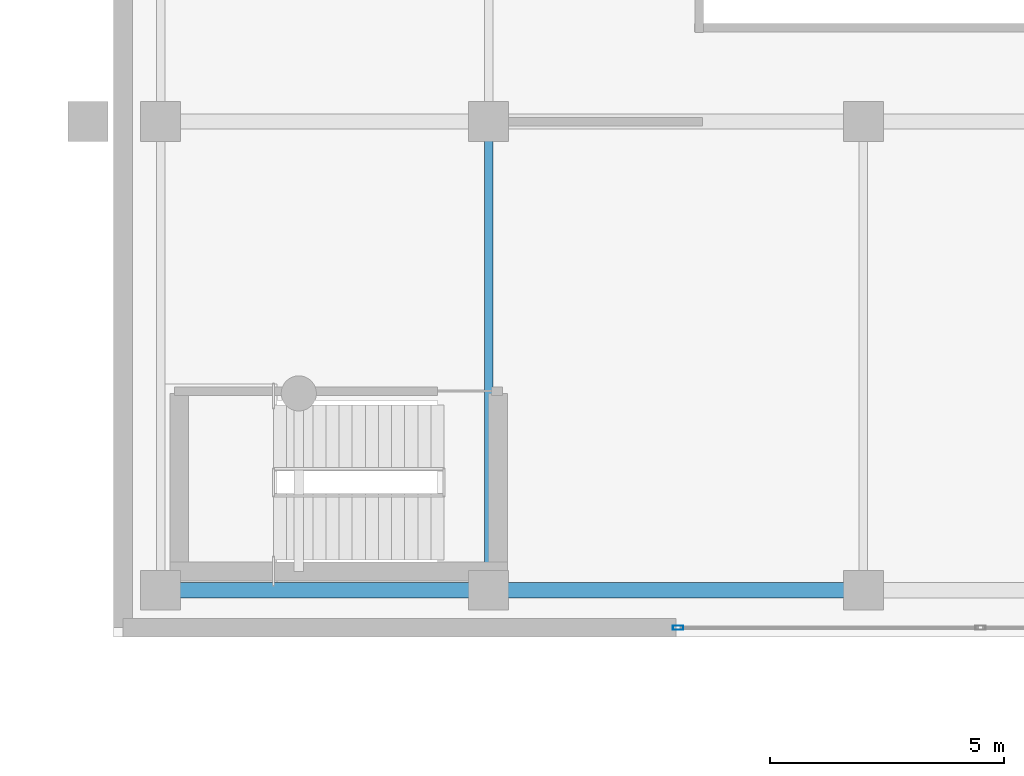
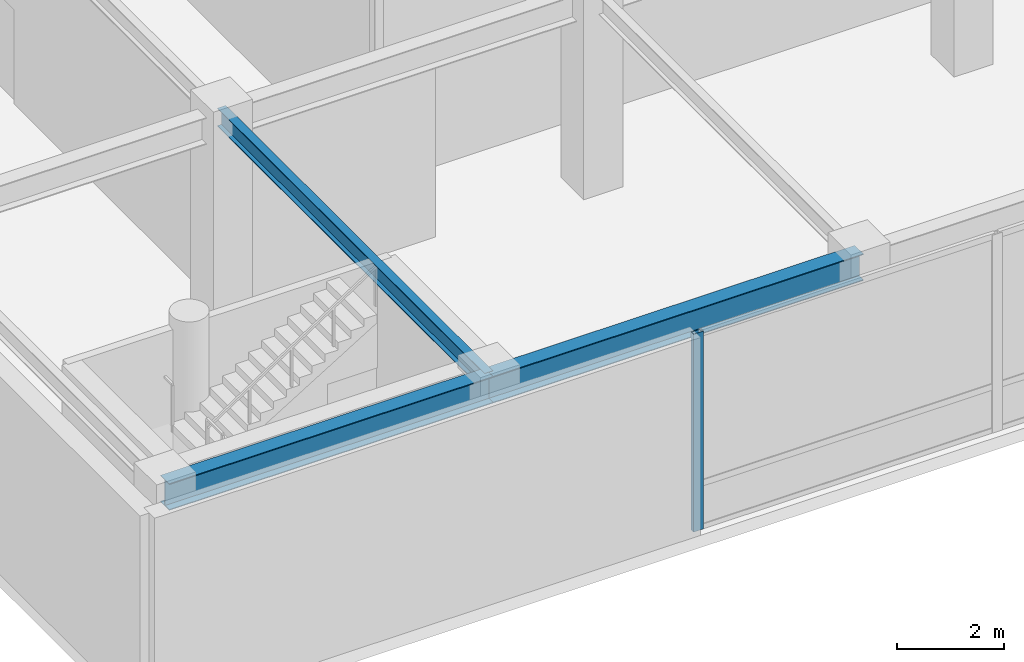
# One storey, part 12 of 40: 3 beams, 1 member, 1 element without a shape of its own.
"""IFC4 building model written with IfcOpenShell, lengths in metres."""

from ifc_helpers import new_model, si_unit, direction, frame, origin, origin_2d, place, context, subcontext, project, spatial, hollow_rectangle, i_section, extrude, material, layer, layer_set, material_profile, profile_set, type_object, element, aggregate, save


model = new_model("IFC4")

# Units and contexts
model_context = context("Model", 3, precision=1e-05, world=origin(), true_north=direction((0.0, 1.0)))
body_context = subcontext(model_context, "Body", "Model", "MODEL_VIEW")
ifc_project = project(units=[si_unit("LENGTHUNIT", "METRE"), si_unit("AREAUNIT", "SQUARE_METRE"), si_unit("VOLUMEUNIT", "CUBIC_METRE"), si_unit("PLANEANGLEUNIT", "RADIAN"), si_unit("MASSUNIT", "GRAM", prefix="KILO")], contexts=[model_context])

# Site, building, storey
site_placement = place(None, origin())
site = spatial("IfcSite", under=ifc_project, at=site_placement, CompositionType="ELEMENT")
building_placement = place(site_placement, origin())
building = spatial("IfcBuilding", under=site, at=building_placement, Name="Kazevale Care Tower and Concert Hall", CompositionType="ELEMENT")
storey_placement = place(building_placement, frame((0.0, 0.0, 4.800048828125)))
storey = spatial("IfcBuildingStorey", under=building, at=storey_placement, Name="L01", CompositionType="ELEMENT", Elevation=4.800048828125)

# Curtain wall, member
ifc_material_1 = material(Name="Aluminium 6063-T6 and Low-E Glass", Category="aluminium")
ifc_layer = layer(ifc_material_1, 0.179931640625)
ifc_layer_set = layer_set([ifc_layer], Name="Aluminium 6063-T6 and Low-E Glass")
curtain_wall_type = type_object("IfcCurtainWallType", Name="Concert Hall Foyer Storefront Curtain Wall CW-6", PredefinedType="NOTDEFINED", material=ifc_layer_set)
curtain_wall_placement = place(storey_placement, origin())
curtain_wall = element("IfcCurtainWall", 1, at=curtain_wall_placement, inside=storey, type_object=curtain_wall_type, Name="cw:L01:hall:S2", PredefinedType="NOTDEFINED")
ifc_material_2 = material(Name="Aluminium 6063-T6", Category="aluminium")
ifc_material_profile_1 = material_profile(ifc_material_2, hollow_rectangle(XDim=0.090087890625, YDim=0.219970703125, WallThickness=0.0048828125, at=origin_2d()), Name="ALU90x220x5")
ifc_profile_set_1 = profile_set([ifc_material_profile_1], Name="Aluminium 6063-T6")
member_type = type_object("IfcMemberType", Name="CW-6 Mullion ALU90x220x5", PredefinedType="MULLION", material=ifc_profile_set_1)
member_placement = place(storey_placement, frame((108.044921875, 14.199951171875, 0.0), z_axis=(0.0, 0.0, 1.0), x_axis=(0.0, 1.0, 0.0)))
member = element("IfcMember", 2, at=member_placement, type_object=member_type, Name="CW-6 mullion 1", PredefinedType="MULLION", context=body_context, shape_type="SweptSolid", body=[
    extrude(hollow_rectangle(XDim=0.090087890625, YDim=0.219970703125, WallThickness=0.0048828125, at=origin_2d()), origin(), (0.0, 0.0, 1.0), 4.52001953125),
])
aggregate(curtain_wall, [member])

# Beams
ifc_material_3 = material(Name="Steel ASTM A572 Gr 50", Category="steel")
ifc_material_profile_2 = material_profile(ifc_material_3, i_section(OverallWidth=0.323974609375, OverallDepth=0.611083984375, WebThickness=0.0126953125, FlangeThickness=0.01904296875, at=origin_2d()), Name="W610x155")
ifc_profile_set_2 = profile_set([ifc_material_profile_2], Name="Steel ASTM A572 Gr 50")
beam_type_1 = type_object("IfcBeamType", Name="Concert Hall Frame Girder W610x155", PredefinedType="BEAM", material=ifc_profile_set_2)
beam_1_placement = place(storey_placement, frame((97.0, 15.0, 4.21435546875), z_axis=(1.0, 0.0, 0.0), x_axis=(0.0, 1.0, 0.0)))
element("IfcBeam", 3, at=beam_1_placement, inside=storey, type_object=beam_type_1, Name="beam:L01:hx:97_15", PredefinedType="BEAM", context=body_context, shape_type="SweptSolid", body=[
    extrude(i_section(OverallWidth=0.323974609375, OverallDepth=0.611083984375, WebThickness=0.0126953125, FlangeThickness=0.01904296875, at=origin_2d()), origin(), (0.0, 0.0, 1.0), 7.0),
])
beam_2_placement = place(storey_placement, frame((104.0, 15.0, 4.21435546875), z_axis=(1.0, 0.0, 0.0), x_axis=(0.0, 1.0, 0.0)))
element("IfcBeam", 4, at=beam_2_placement, inside=storey, type_object=beam_type_1, Name="beam:L01:hx:104_15", PredefinedType="BEAM", context=body_context, shape_type="SweptSolid", body=[
    extrude(i_section(OverallWidth=0.323974609375, OverallDepth=0.611083984375, WebThickness=0.0126953125, FlangeThickness=0.01904296875, at=origin_2d()), origin(), (0.0, 0.0, 1.0), 8.0),
])
ifc_material_profile_3 = material_profile(ifc_material_3, i_section(OverallWidth=0.180908203125, OverallDepth=0.4169921875, WebThickness=0.010986328125, FlangeThickness=0.018310546875, at=origin_2d()), Name="W410x85")
ifc_profile_set_3 = profile_set([ifc_material_profile_3], Name="Steel ASTM A572 Gr 50")
beam_type_2 = type_object("IfcBeamType", Name="Concert Hall Secondary Beam W410x85", PredefinedType="BEAM", material=ifc_profile_set_3)
beam_3_placement = place(storey_placement, frame((104.0, 15.0, 4.3115234375), z_axis=(0.0, 1.0, 0.0), x_axis=(-1.0, 0.0, 0.0)))
element("IfcBeam", 5, at=beam_3_placement, inside=storey, type_object=beam_type_2, Name="beam:L01:hy:104_15", PredefinedType="BEAM", context=body_context, shape_type="SweptSolid", body=[
    extrude(i_section(OverallWidth=0.180908203125, OverallDepth=0.4169921875, WebThickness=0.010986328125, FlangeThickness=0.018310546875, at=origin_2d()), origin(), (0.0, 0.0, 1.0), 10.0),
])

save(model, "model.ifc")
